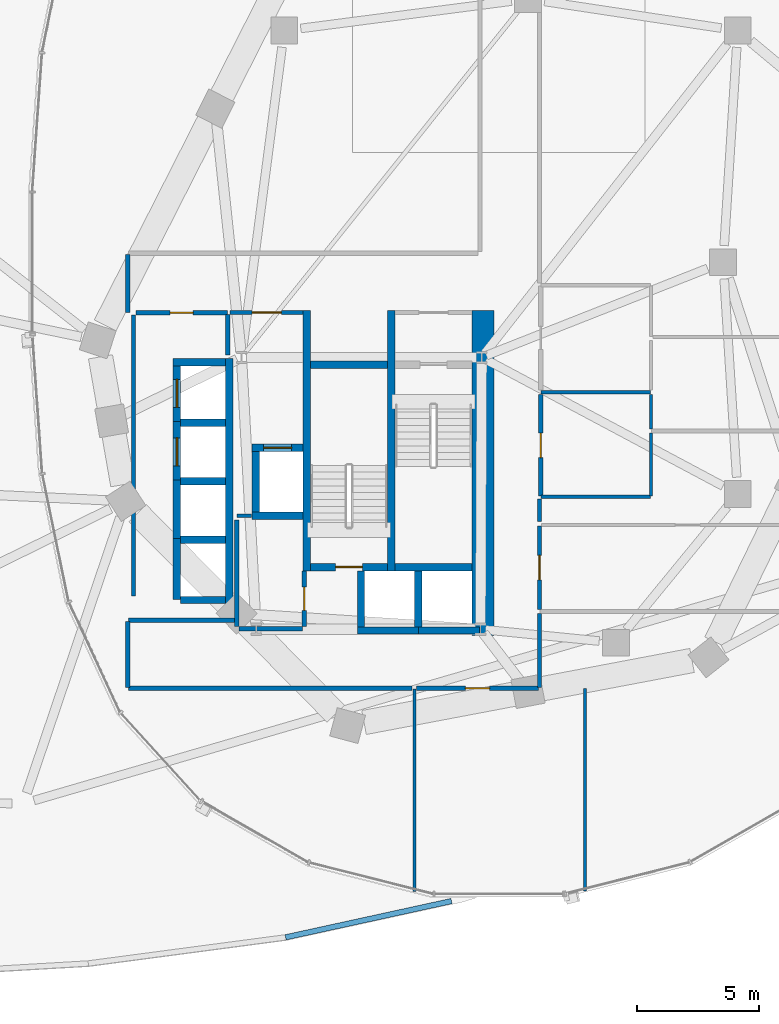
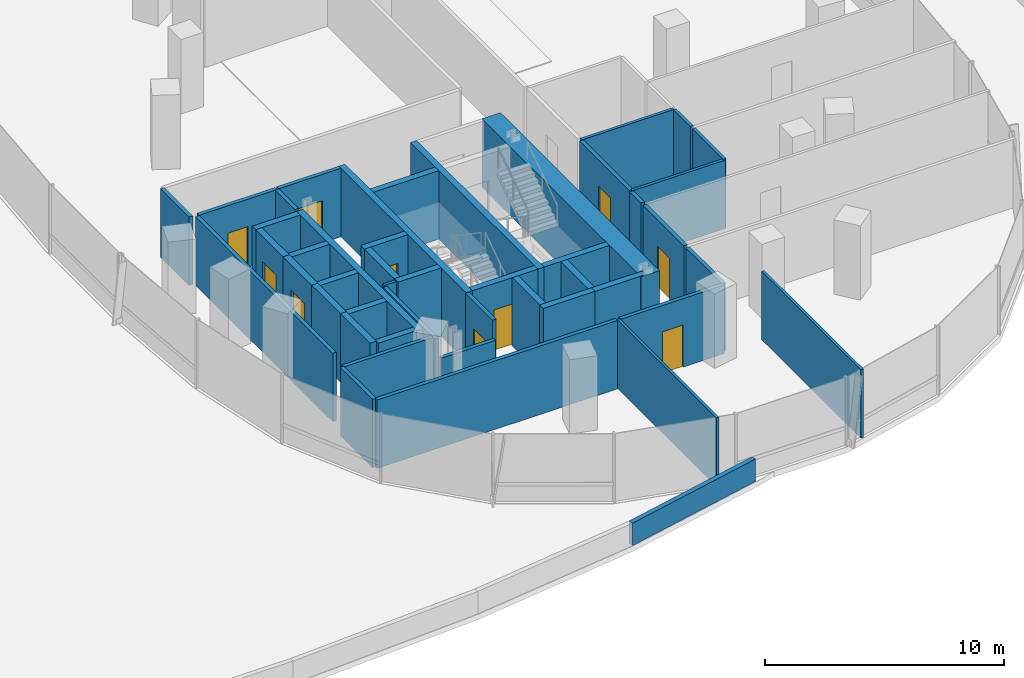
# One storey, part 20 of 28: 47 walls, 10 doors, 10 openings.
"""IFC4 building model written with IfcOpenShell, lengths in metres."""

from ifc_helpers import new_model, si_unit, direction, frame, frame_2d, origin, place, context, subcontext, project, spatial, rectangle, extrude, material, layer, layer_set, type_object, element, fill, save


model = new_model("IFC4")

# Units and contexts
model_context = context("Model", 3, precision=1e-05, world=origin(), true_north=direction((0.0, 1.0)))
body_context = subcontext(model_context, "Body", "Model", "MODEL_VIEW")
ifc_project = project(units=[si_unit("LENGTHUNIT", "METRE"), si_unit("AREAUNIT", "SQUARE_METRE"), si_unit("VOLUMEUNIT", "CUBIC_METRE"), si_unit("PLANEANGLEUNIT", "RADIAN"), si_unit("MASSUNIT", "GRAM", prefix="KILO"), si_unit("THERMODYNAMICTEMPERATUREUNIT", "KELVIN"), si_unit("POWERUNIT", "WATT")], contexts=[model_context])

# Site, building, storey
site_placement = place(None, origin())
site = spatial("IfcSite", under=ifc_project, at=site_placement, CompositionType="ELEMENT")
building_placement = place(site_placement, origin())
building = spatial("IfcBuilding", under=site, at=building_placement, Name="Cundina Bronze Exchange", CompositionType="ELEMENT")
storey_placement = place(building_placement, frame((0.0, 0.0, 24.0)))
storey = spatial("IfcBuildingStorey", under=building, at=storey_placement, Name="L05", CompositionType="ELEMENT", Elevation=24.0)

# Wall
ifc_material_1 = material(Name="Gypsum Fireboard Partition EI120")
ifc_layer_1 = layer(ifc_material_1, 0.179931640625, Name="Gypsum Fireboard Partition EI120")
ifc_layer_set_1 = layer_set([ifc_layer_1], Name="Gypsum Fireboard Partition EI120")
wall_type_1 = type_object("IfcWallType", Name="WL-COR-180", PredefinedType="PARTITIONING", material=ifc_layer_set_1)
wall_1_placement = place(storey_placement, frame((20.889892578125, -3.800048828125, 0.0), z_axis=(0.0, 0.0, 1.0), x_axis=(0.0, 1.0, 0.0)))
element("IfcWall", 1, at=wall_1_placement, inside=storey, type_object=wall_type_1, Name="L05 E Firefighting Lobby Side Wall", PredefinedType="PARTITIONING", context=body_context, shape_type="SweptSolid", body=[
    extrude(rectangle(XDim=1.650146484375, YDim=0.179931640625, at=frame_2d((0.8251953125, 0.0))), origin(), (0.0, 0.0, 1.0), 3.5),
])

# Wall, opening, door
wall_2_placement = place(storey_placement, frame((20.97998046875, -2.06005859375, 0.0), z_axis=(0.0, 0.0, 1.0), x_axis=(1.0, 0.0, 0.0)))
wall_2 = element("IfcWall", 2, at=wall_2_placement, inside=storey, type_object=wall_type_1, Name="L05 E Firefighting Lobby Exit Wall", PredefinedType="PARTITIONING", context=body_context, shape_type="SweptSolid", body=[
    extrude(rectangle(XDim=3.0, YDim=0.179931640625, at=frame_2d((1.5, 0.0))), origin(), (0.0, 0.0, 1.0), 3.5),
])
opening_1_placement = place(wall_2_placement, frame((0.89990234375, 0.0, 0.0)))
opening_1 = element("IfcOpeningElement", 3, at=opening_1_placement, cuts=wall_2, Name="Opening DF-01", PredefinedType="OPENING", context=body_context, shape_type="SweptSolid", body=[
    extrude(rectangle(XDim=1.199951171875, YDim=2.14990234375, at=frame_2d((0.60009765625, 1.074951171875))), frame((0.0, 0.099853515625, 0.0), z_axis=(0.0, -1.0, 0.0), x_axis=(1.0, 0.0, 0.0)), (0.0, 0.0, 1.0), 0.199951171875),
])
ifc_material_2 = material(Name="Steel ASTM A36 Painted", Category="steel")
door_type_1 = type_object("IfcDoorType", Name="DR-FFL-1200", OperationType="NOTDEFINED", PredefinedType="DOOR", material=ifc_material_2)
door_1_placement = place(opening_1_placement, origin())
door_1 = element("IfcDoor", 4, at=door_1_placement, inside=storey, type_object=door_type_1, Name="L05 E Firefighting Lobby Door", OperationType="SINGLE_SWING_LEFT", OverallHeight=2.14990234375, OverallWidth=1.199951171875, PredefinedType="DOOR", context=body_context, shape_type="SweptSolid", body=[
    extrude(rectangle(XDim=1.199951171875, YDim=2.14990234375, at=frame_2d((0.60009765625, 1.074951171875))), frame((0.0, 0.02490234375, 0.0), z_axis=(0.0, -1.0, 0.0), x_axis=(1.0, 0.0, 0.0)), (0.0, 0.0, 1.0), 0.050048828125),
])
fill(opening_1, door_1)

# Wall
wall_3_placement = place(storey_placement, frame((17.02001953125, -13.679931640625, 0.0), z_axis=(0.0, 0.0, 1.0), x_axis=(0.0, 1.0, 0.0)))
element("IfcWall", 5, at=wall_3_placement, inside=storey, type_object=wall_type_1, Name="L05 Interior Partition 038", PredefinedType="PARTITIONING", context=body_context, shape_type="SweptSolid", body=[
    extrude(rectangle(XDim=11.510009765625, YDim=0.179931640625, at=frame_2d((5.7548828125, 0.0))), origin(), (0.0, 0.0, 1.0), 3.5),
])

# Wall, opening, door
wall_4_placement = place(storey_placement, frame((17.1201171875, -2.070068359375, 0.0), z_axis=(0.0, 0.0, 1.0), x_axis=(1.0, 0.0, 0.0)))
wall_4 = element("IfcWall", 6, at=wall_4_placement, inside=storey, type_object=wall_type_1, Name="L05 Interior Partition 039", PredefinedType="PARTITIONING", context=body_context, shape_type="SweptSolid", body=[
    extrude(rectangle(XDim=3.75, YDim=0.179931640625, at=frame_2d((1.875, 0.0))), origin(), (0.0, 0.0, 1.0), 3.5),
])
opening_2_placement = place(wall_4_placement, frame((1.39990234375, 0.0, 0.0)))
opening_2 = element("IfcOpeningElement", 7, at=opening_2_placement, cuts=wall_4, Name="Opening DW-01", PredefinedType="OPENING", context=body_context, shape_type="SweptSolid", body=[
    extrude(rectangle(XDim=0.949951171875, YDim=2.10009765625, at=frame_2d((0.47509765625, 1.050048828125))), frame((0.0, 0.099853515625, 0.0), z_axis=(0.0, -1.0, 0.0), x_axis=(1.0, 0.0, 0.0)), (0.0, 0.0, 1.0), 0.199951171875),
])
ifc_material_3 = material(Name="Solid Andean Oak Timber Grade A", Category="wood")
door_type_2 = type_object("IfcDoorType", Name="DR-WC-950", OperationType="NOTDEFINED", PredefinedType="DOOR", material=ifc_material_3)
door_2_placement = place(opening_2_placement, origin())
door_2 = element("IfcDoor", 8, at=door_2_placement, inside=storey, type_object=door_type_2, Name="L05 Interior Door 039", OperationType="SINGLE_SWING_RIGHT", OverallHeight=2.10009765625, OverallWidth=0.949951171875, PredefinedType="DOOR", context=body_context, shape_type="SweptSolid", body=[
    extrude(rectangle(XDim=0.949951171875, YDim=2.10009765625, at=frame_2d((0.47509765625, 1.050048828125))), frame((0.0, 0.02490234375, 0.0), z_axis=(0.0, -1.0, 0.0), x_axis=(1.0, 0.0, 0.0)), (0.0, 0.0, 1.0), 0.050048828125),
])
fill(opening_2, door_2)

# Walls
wall_5_placement = place(storey_placement, frame((21.25, -14.929931640625, 0.0), z_axis=(0.0, 0.0, 1.0), x_axis=(0.0, 1.0, 0.0)))
element("IfcWall", 9, at=wall_5_placement, inside=storey, type_object=wall_type_1, Name="L05 Interior Partition 041", PredefinedType="PARTITIONING", context=body_context, shape_type="SweptSolid", body=[
    extrude(rectangle(XDim=4.35986328125, YDim=0.179931640625, at=frame_2d((2.179931640625, 0.0))), origin(), (0.0, 0.0, 1.0), 3.5),
])
wall_6_placement = place(storey_placement, frame((21.35009765625, -15.030029296875, 0.0), z_axis=(0.0, 0.0, 1.0), x_axis=(1.0, 0.0, 0.0)))
element("IfcWall", 10, at=wall_6_placement, inside=storey, type_object=wall_type_1, Name="L05 Interior Partition 042", PredefinedType="PARTITIONING", context=body_context, shape_type="SweptSolid", body=[
    extrude(rectangle(XDim=2.60986328125, YDim=0.179931640625, at=frame_2d((1.304931640625, 0.0))), origin(), (0.0, 0.0, 1.0), 2.572998046875),
])

# Wall, opening, door
wall_7_placement = place(storey_placement, frame((24.02001953125, -14.929931640625, 0.0), z_axis=(0.0, 0.0, 1.0), x_axis=(0.0, 1.0, 0.0)))
wall_7 = element("IfcWall", 11, at=wall_7_placement, inside=storey, type_object=wall_type_1, Name="L05 Interior Partition 043", PredefinedType="PARTITIONING", context=body_context, shape_type="SweptSolid", body=[
    extrude(rectangle(XDim=2.260009765625, YDim=0.179931640625, at=frame_2d((1.1298828125, 0.0))), origin(), (0.0, 0.0, 1.0), 3.5),
])
opening_3_placement = place(wall_7_placement, frame((0.655029296875, 0.0, 0.0)))
opening_3 = element("IfcOpeningElement", 12, at=opening_3_placement, cuts=wall_7, Name="Opening DW-01", PredefinedType="OPENING", context=body_context, shape_type="SweptSolid", body=[
    extrude(rectangle(XDim=0.949951171875, YDim=2.10009765625, at=frame_2d((0.47509765625, 1.050048828125))), frame((0.0, 0.099853515625, 0.0), z_axis=(0.0, -1.0, 0.0), x_axis=(1.0, 0.0, 0.0)), (0.0, 0.0, 1.0), 0.199951171875),
])
door_3_placement = place(opening_3_placement, origin())
door_3 = element("IfcDoor", 13, at=door_3_placement, inside=storey, type_object=door_type_2, Name="L05 Interior Door 043", OperationType="SINGLE_SWING_RIGHT", OverallHeight=2.10009765625, OverallWidth=0.949951171875, PredefinedType="DOOR", context=body_context, shape_type="SweptSolid", body=[
    extrude(rectangle(XDim=0.949951171875, YDim=2.10009765625, at=frame_2d((0.47509765625, 1.050048828125))), frame((0.0, 0.02490234375, 0.0), z_axis=(0.0, -1.0, 0.0), x_axis=(1.0, 0.0, 0.0)), (0.0, 0.0, 1.0), 0.050048828125),
])
fill(opening_3, door_3)

wall_8_placement = place(storey_placement, frame((33.719970703125, -9.590087890625, 0.0), z_axis=(0.0, 0.0, 1.0), x_axis=(0.0, 1.0, 0.0)))
wall_8 = element("IfcWall", 14, at=wall_8_placement, inside=storey, type_object=wall_type_1, Name="L05 Interior Partition 052", PredefinedType="PARTITIONING", context=body_context, shape_type="SweptSolid", body=[
    extrude(rectangle(XDim=4.16015625, YDim=0.179931640625, at=frame_2d((2.080078125, 0.0))), origin(), (0.0, 0.0, 1.0), 3.5),
])
opening_4_placement = place(wall_8_placement, frame((1.580078125, 0.0, 0.0)))
opening_4 = element("IfcOpeningElement", 15, at=opening_4_placement, cuts=wall_8, Name="Opening DO-01", PredefinedType="OPENING", context=body_context, shape_type="SweptSolid", body=[
    extrude(rectangle(XDim=1.0, YDim=2.14990234375, at=frame_2d((0.5, 1.074951171875))), frame((0.0, 0.099853515625, 0.0), z_axis=(0.0, -1.0, 0.0), x_axis=(1.0, 0.0, 0.0)), (0.0, 0.0, 1.0), 0.199951171875),
])
door_type_3 = type_object("IfcDoorType", Name="DR-OFF-1000", OperationType="NOTDEFINED", PredefinedType="DOOR", material=ifc_material_3)
door_4_placement = place(opening_4_placement, origin())
door_4 = element("IfcDoor", 16, at=door_4_placement, inside=storey, type_object=door_type_3, Name="L05 Interior Door 052", OperationType="SINGLE_SWING_RIGHT", OverallHeight=2.14990234375, OverallWidth=1.0, PredefinedType="DOOR", context=body_context, shape_type="SweptSolid", body=[
    extrude(rectangle(XDim=1.0, YDim=2.14990234375, at=frame_2d((0.5, 1.074951171875))), frame((0.0, 0.02490234375, 0.0), z_axis=(0.0, -1.0, 0.0), x_axis=(1.0, 0.0, 0.0)), (0.0, 0.0, 1.0), 0.050048828125),
])
fill(opening_4, door_4)

wall_9_placement = place(storey_placement, frame((28.6298828125, -17.469970703125, 0.0), z_axis=(0.0, 0.0, 1.0), x_axis=(1.0, 0.0, 0.0)))
wall_9 = element("IfcWall", 17, at=wall_9_placement, inside=storey, type_object=wall_type_1, Name="L05 Interior Partition 057", PredefinedType="PARTITIONING", context=body_context, shape_type="SweptSolid", body=[
    extrude(rectangle(XDim=4.99853515625, YDim=0.179931640625, at=frame_2d((2.499267578125, 0.0))), origin(), (0.0, 0.0, 1.0), 3.5),
])
opening_5_placement = place(wall_9_placement, frame((1.999267578125, 0.0, 0.0)))
opening_5 = element("IfcOpeningElement", 18, at=opening_5_placement, cuts=wall_9, Name="Opening DO-01", PredefinedType="OPENING", context=body_context, shape_type="SweptSolid", body=[
    extrude(rectangle(XDim=1.0, YDim=2.14990234375, at=frame_2d((0.5, 1.074951171875))), frame((0.0, 0.099853515625, 0.0), z_axis=(0.0, -1.0, 0.0), x_axis=(1.0, 0.0, 0.0)), (0.0, 0.0, 1.0), 0.199951171875),
])
door_5_placement = place(opening_5_placement, origin())
door_5 = element("IfcDoor", 19, at=door_5_placement, inside=storey, type_object=door_type_3, Name="L05 Interior Door 057", OperationType="SINGLE_SWING_RIGHT", OverallHeight=2.14990234375, OverallWidth=1.0, PredefinedType="DOOR", context=body_context, shape_type="SweptSolid", body=[
    extrude(rectangle(XDim=1.0, YDim=2.14990234375, at=frame_2d((0.5, 1.074951171875))), frame((0.0, 0.02490234375, 0.0), z_axis=(0.0, -1.0, 0.0), x_axis=(1.0, 0.0, 0.0)), (0.0, 0.0, 1.0), 0.050048828125),
])
fill(opening_5, door_5)

# Wall
wall_10_placement = place(storey_placement, frame((33.669921875, -17.428466796875, 0.0), z_axis=(0.0, 0.0, 1.0), x_axis=(0.0, 1.0, 0.0)))
element("IfcWall", 20, at=wall_10_placement, inside=storey, type_object=wall_type_1, Name="L05 Interior Partition 058", PredefinedType="PARTITIONING", context=body_context, shape_type="SweptSolid", body=[
    extrude(rectangle(XDim=3.0185546875, YDim=0.179931640625, at=frame_2d((1.50927734375, 0.0))), origin(), (0.0, 0.0, 1.0), 3.5),
])

# Wall, opening, door
wall_11_placement = place(storey_placement, frame((33.669921875, -14.22998046875, 0.0), z_axis=(0.0, 0.0, 1.0), x_axis=(0.0, 1.0, 0.0)))
wall_11 = element("IfcWall", 21, at=wall_11_placement, inside=storey, type_object=wall_type_1, Name="L05 Interior Partition 059", PredefinedType="PARTITIONING", context=body_context, shape_type="SweptSolid", body=[
    extrude(rectangle(XDim=3.419921875, YDim=0.179931640625, at=frame_2d((1.7099609375, 0.0))), origin(), (0.0, 0.0, 1.0), 3.5),
])
opening_6_placement = place(wall_11_placement, frame((1.2099609375, 0.0, 0.0)))
opening_6 = element("IfcOpeningElement", 22, at=opening_6_placement, cuts=wall_11, Name="Opening DO-01", PredefinedType="OPENING", context=body_context, shape_type="SweptSolid", body=[
    extrude(rectangle(XDim=1.0, YDim=2.14990234375, at=frame_2d((0.5, 1.074951171875))), frame((0.0, 0.099853515625, 0.0), z_axis=(0.0, -1.0, 0.0), x_axis=(1.0, 0.0, 0.0)), (0.0, 0.0, 1.0), 0.199951171875),
])
door_6_placement = place(opening_6_placement, origin())
door_6 = element("IfcDoor", 23, at=door_6_placement, inside=storey, type_object=door_type_3, Name="L05 Interior Door 059", OperationType="SINGLE_SWING_RIGHT", OverallHeight=2.14990234375, OverallWidth=1.0, PredefinedType="DOOR", context=body_context, shape_type="SweptSolid", body=[
    extrude(rectangle(XDim=1.0, YDim=2.14990234375, at=frame_2d((0.5, 1.074951171875))), frame((0.0, 0.02490234375, 0.0), z_axis=(0.0, -1.0, 0.0), x_axis=(1.0, 0.0, 0.0)), (0.0, 0.0, 1.0), 0.050048828125),
])
fill(opening_6, door_6)

# Walls
wall_12_placement = place(storey_placement, frame((33.669921875, -10.6298828125, 0.0), z_axis=(0.0, 0.0, 1.0), x_axis=(0.0, 1.0, 0.0)))
element("IfcWall", 24, at=wall_12_placement, inside=storey, type_object=wall_type_1, Name="L05 Interior Partition 060", PredefinedType="PARTITIONING", context=body_context, shape_type="SweptSolid", body=[
    extrude(rectangle(XDim=0.928466796875, YDim=0.179931640625, at=frame_2d((0.46435546875, 0.0))), origin(), (0.0, 0.0, 1.0), 3.5),
])
wall_13_placement = place(storey_placement, frame((16.821533203125, -17.469970703125, 0.0), z_axis=(0.0, 0.0, 1.0), x_axis=(1.0, 0.0, 0.0)))
element("IfcWall", 25, at=wall_13_placement, inside=storey, type_object=wall_type_1, Name="L05 Interior Partition 064", PredefinedType="PARTITIONING", context=body_context, shape_type="SweptSolid", body=[
    extrude(rectangle(XDim=11.62841796875, YDim=0.179931640625, at=frame_2d((5.814208984375, 0.0))), origin(), (0.0, 0.0, 1.0), 3.5),
])
wall_14_placement = place(storey_placement, frame((21.178466796875, -14.679931640625, 0.0), z_axis=(0.0, 0.0, 1.0), x_axis=(-1.0, 0.0, 0.0)))
element("IfcWall", 26, at=wall_14_placement, inside=storey, type_object=wall_type_1, Name="L05 Interior Partition 068", PredefinedType="PARTITIONING", context=body_context, shape_type="SweptSolid", body=[
    extrude(rectangle(XDim=4.35693359375, YDim=0.179931640625, at=frame_2d((2.178466796875, 0.0))), origin(), (0.0, 0.0, 1.0), 3.5),
])
wall_15_placement = place(storey_placement, frame((16.780029296875, -14.721435546875, 0.0), z_axis=(0.0, 0.0, 1.0), x_axis=(0.0, -1.0, 0.0)))
element("IfcWall", 27, at=wall_15_placement, inside=storey, type_object=wall_type_1, Name="L05 Interior Partition 069", PredefinedType="PARTITIONING", context=body_context, shape_type="SweptSolid", body=[
    extrude(rectangle(XDim=2.70703125, YDim=0.179931640625, at=frame_2d((1.353515625, 0.0))), origin(), (0.0, 0.0, 1.0), 3.5),
])
wall_16_placement = place(storey_placement, frame((16.780029296875, 0.32861328125, 0.0), z_axis=(0.0, 0.0, 1.0), x_axis=(0.0, -1.0, 0.0)))
element("IfcWall", 28, at=wall_16_placement, inside=storey, type_object=wall_type_1, Name="L05 Interior Partition 070", PredefinedType="PARTITIONING", context=body_context, shape_type="SweptSolid", body=[
    extrude(rectangle(XDim=2.38720703125, YDim=0.179931640625, at=frame_2d((1.193603515625, 0.0))), origin(), (0.0, 0.0, 1.0), 3.5),
])
ifc_material_4 = material(Name="Concrete C60/75", Category="concrete")
ifc_layer_2 = layer(ifc_material_4, 0.89990234375, Name="Concrete C60/75", Category="concrete")
ifc_layer_set_2 = layer_set([ifc_layer_2], Name="Concrete C60/75")
wall_type_2 = type_object("IfcWallType", Name="WL-CORE-900", PredefinedType="SHEAR", material=ifc_layer_set_2)
wall_17_placement = place(storey_placement, frame((31.35009765625, -15.300048828125, 0.0), z_axis=(0.0, 0.0, 1.0), x_axis=(0.0, 1.0, 0.0)))
element("IfcWall", 29, at=wall_17_placement, inside=storey, type_object=wall_type_2, Name="L05 E Primary Core Shear Spine Wall", PredefinedType="SHEAR", context=body_context, shape_type="SweptSolid", body=[
    extrude(rectangle(XDim=13.330078125, YDim=0.89990234375, at=frame_2d((6.6650390625, 0.0))), origin(), (0.0, 0.0, 1.0), 3.5),
])
ifc_material_5 = material(Name="Gypsum Acoustic Partition EI60")
ifc_layer_3 = layer(ifc_material_5, 0.125, Name="Gypsum Acoustic Partition EI60")
ifc_layer_set_3 = layer_set([ifc_layer_3], Name="Gypsum Acoustic Partition EI60")
wall_type_3 = type_object("IfcWallType", Name="WL-OFF-125", PredefinedType="PARTITIONING", material=ifc_layer_set_3)
wall_18_placement = place(storey_placement, frame((28.5400390625, -25.793701171875, 0.0), z_axis=(0.0, 0.0, 1.0), x_axis=(0.0, 1.0, 0.0)))
element("IfcWall", 30, at=wall_18_placement, inside=storey, type_object=wall_type_3, Name="L05 Interior Partition 055", PredefinedType="PARTITIONING", context=body_context, shape_type="SweptSolid", body=[
    extrude(rectangle(XDim=8.293701171875, YDim=0.125, at=frame_2d((4.14697265625, 0.0))), origin(), (0.0, 0.0, 1.0), 3.5),
])
wall_19_placement = place(storey_placement, frame((35.5400390625, -25.7734375, 0.0), z_axis=(0.0, 0.0, 1.0), x_axis=(0.0, 1.0, 0.0)))
element("IfcWall", 31, at=wall_19_placement, inside=storey, type_object=wall_type_3, Name="L05 Interior Partition 056", PredefinedType="PARTITIONING", context=body_context, shape_type="SweptSolid", body=[
    extrude(rectangle(XDim=8.303466796875, YDim=0.125, at=frame_2d((4.15185546875, 0.0))), origin(), (0.0, 0.0, 1.0), 3.5),
])
ifc_material_6 = material(Name="Precast Concrete C45/55", Category="concrete")
ifc_layer_4 = layer(ifc_material_6, 0.219970703125, Name="Precast Concrete C45/55", Category="concrete")
ifc_layer_set_4 = layer_set([ifc_layer_4], Name="Precast Concrete C45/55")
wall_type_4 = type_object("IfcWallType", Name="WL-PAR-220", PredefinedType="PARAPET", material=ifc_layer_set_4)
wall_20_placement = place(storey_placement, frame((30.059814453125, -26.195068359375, 0.0), z_axis=(0.0, 0.0, 1.0), x_axis=(-0.976903447966, -0.213681195598, 0.0)))
element("IfcWall", 32, at=wall_20_placement, inside=storey, type_object=wall_type_4, Name="L05 Central Podium Roof Parapet 1-21", PredefinedType="PARAPET", context=body_context, shape_type="SweptSolid", body=[
    extrude(rectangle(XDim=6.9638671875, YDim=0.219970703125, at=frame_2d((3.48193359375, 0.0))), origin(), (0.0, 0.0, 1.0), 1.14990234375),
])
ifc_material_7 = material(Name="Concrete C50/60", Category="concrete")
ifc_layer_5 = layer(ifc_material_7, 0.300048828125, Name="Concrete C50/60", Category="concrete")
ifc_layer_set_5 = layer_set([ifc_layer_5], Name="Concrete C50/60")
wall_type_5 = type_object("IfcWallType", Name="WL-SHFT-300", PredefinedType="SHEAR", material=ifc_layer_set_5)
for number, where, z_axis, x_axis, name in (
    (33, (27.590087890625, -12.64990234375, 0.0), (0.0, 0.0, 1.0), (0.0, 1.0, 0.0), "L05 E Stair Shaft Dividing Shear Wall"),
    (34, (24.1298828125, -12.64990234375, 0.0), (0.0, 0.0, 1.0), (0.0, 1.0, 0.0), "L05 E Stair 2 East Shear Wall"),
):
    element("IfcWall", number, at=place(storey_placement, frame(where, z_axis=z_axis, x_axis=x_axis)), inside=storey, type_object=wall_type_5, Name=name, PredefinedType="SHEAR", context=body_context, shape_type="SweptSolid", body=[
        extrude(rectangle(XDim=10.679931640625, YDim=0.300048828125, at=frame_2d((5.33984375, 0.0))), origin(), (0.0, 0.0, 1.0), 3.5),
    ])
wall_21_placement = place(storey_placement, frame((27.739990234375, -12.5, 0.0), z_axis=(0.0, 0.0, 1.0), x_axis=(1.0, 0.0, 0.0)))
element("IfcWall", 35, at=wall_21_placement, inside=storey, type_object=wall_type_5, Name="L05 Stair E1 Far Shaft Wall", PredefinedType="SHEAR", context=body_context, shape_type="SweptSolid", body=[
    extrude(rectangle(XDim=3.159912109375, YDim=0.300048828125, at=frame_2d((1.580078125, 0.0))), origin(), (0.0, 0.0, 1.0), 3.5),
])

# Wall, opening, door
wall_22_placement = place(storey_placement, frame((24.280029296875, -12.5, 0.0), z_axis=(0.0, 0.0, 1.0), x_axis=(1.0, 0.0, 0.0)))
wall_22 = element("IfcWall", 36, at=wall_22_placement, inside=storey, type_object=wall_type_5, Name="L05 Stair E2 Landing Wall", PredefinedType="SHEAR", context=body_context, shape_type="SweptSolid", body=[
    extrude(rectangle(XDim=3.159912109375, YDim=0.300048828125, at=frame_2d((1.580078125, 0.0))), origin(), (0.0, 0.0, 1.0), 3.5),
])
opening_7_placement = place(wall_22_placement, frame((1.030029296875, 0.0, 0.0)))
opening_7 = element("IfcOpeningElement", 37, at=opening_7_placement, cuts=wall_22, Name="Opening DS-01", PredefinedType="OPENING", context=body_context, shape_type="SweptSolid", body=[
    extrude(rectangle(XDim=1.10009765625, YDim=2.14990234375, at=frame_2d((0.550048828125, 1.074951171875))), frame((0.0, 0.159912109375, 0.0), z_axis=(0.0, -1.0, 0.0), x_axis=(1.0, 0.0, 0.0)), (0.0, 0.0, 1.0), 0.320068359375),
])
door_type_4 = type_object("IfcDoorType", Name="DR-STR-1100", OperationType="NOTDEFINED", PredefinedType="DOOR", material=ifc_material_2)
door_7_placement = place(opening_7_placement, origin())
door_7 = element("IfcDoor", 38, at=door_7_placement, inside=storey, type_object=door_type_4, Name="L05 Smokeproof Stair E2 Door", OperationType="SINGLE_SWING_RIGHT", OverallHeight=2.14990234375, OverallWidth=1.10009765625, PredefinedType="DOOR", context=body_context, shape_type="SweptSolid", body=[
    extrude(rectangle(XDim=1.10009765625, YDim=2.14990234375, at=frame_2d((0.550048828125, 1.074951171875))), frame((0.0, 0.02490234375, 0.0), z_axis=(0.0, -1.0, 0.0), x_axis=(1.0, 0.0, 0.0)), (0.0, 0.0, 1.0), 0.050048828125),
])
fill(opening_7, door_7)

# Wall
wall_23_placement = place(storey_placement, frame((24.280029296875, -4.199951171875, 0.0), z_axis=(0.0, 0.0, 1.0), x_axis=(1.0, 0.0, 0.0)))
element("IfcWall", 39, at=wall_23_placement, inside=storey, type_object=wall_type_5, Name="L05 Stair E2 Far Shaft Wall", PredefinedType="SHEAR", context=body_context, shape_type="SweptSolid", body=[
    extrude(rectangle(XDim=3.159912109375, YDim=0.300048828125, at=frame_2d((1.580078125, 0.0))), origin(), (0.0, 0.0, 1.0), 3.5),
])

# Wall, opening, door
wall_24_placement = place(storey_placement, frame((21.8798828125, -7.60009765625, 0.0), z_axis=(0.0, 0.0, 1.0), x_axis=(1.0, 0.0, 0.0)))
wall_24 = element("IfcWall", 40, at=wall_24_placement, inside=storey, type_object=wall_type_5, Name="L05 FFL-E Hoistway Front Wall", PredefinedType="SHEAR", context=body_context, shape_type="SweptSolid", body=[
    extrude(rectangle(XDim=2.10009765625, YDim=0.300048828125, at=frame_2d((1.050048828125, 0.0))), origin(), (0.0, 0.0, 1.0), 3.5),
])
opening_8_placement = place(wall_24_placement, frame((0.47509765625, 0.0, 0.0)))
opening_8 = element("IfcOpeningElement", 41, at=opening_8_placement, cuts=wall_24, Name="Opening LD-01", PredefinedType="OPENING", context=body_context, shape_type="SweptSolid", body=[
    extrude(rectangle(XDim=1.14990234375, YDim=2.199951171875, at=frame_2d((0.574951171875, 1.10009765625))), frame((0.0, 0.159912109375, 0.0), z_axis=(0.0, -1.0, 0.0), x_axis=(1.0, 0.0, 0.0)), (0.0, 0.0, 1.0), 0.320068359375),
])
door_type_5 = type_object("IfcDoorType", Name="DR-LND-1150", OperationType="NOTDEFINED", PredefinedType="TRAPDOOR", material=ifc_material_2)
door_8_placement = place(opening_8_placement, origin())
door_8 = element("IfcDoor", 42, at=door_8_placement, inside=storey, type_object=door_type_5, Name="L05 FFL-E Sliding Landing Door", OperationType="SLIDING_TO_LEFT", OverallHeight=2.199951171875, OverallWidth=1.14990234375, PredefinedType="TRAPDOOR", context=body_context, shape_type="SweptSolid", body=[
    extrude(rectangle(XDim=1.14990234375, YDim=2.199951171875, at=frame_2d((0.574951171875, 1.10009765625))), frame((0.0, 0.02490234375, 0.0), z_axis=(0.0, -1.0, 0.0), x_axis=(1.0, 0.0, 0.0)), (0.0, 0.0, 1.0), 0.050048828125),
])
fill(opening_8, door_8)

# Walls
wall_25_placement = place(storey_placement, frame((21.8798828125, -10.39990234375, 0.0), z_axis=(0.0, 0.0, 1.0), x_axis=(1.0, 0.0, 0.0)))
element("IfcWall", 43, at=wall_25_placement, inside=storey, type_object=wall_type_5, Name="L05 FFL-E Hoistway Back Wall", PredefinedType="SHEAR", context=body_context, shape_type="SweptSolid", body=[
    extrude(rectangle(XDim=2.10009765625, YDim=0.300048828125, at=frame_2d((1.050048828125, 0.0))), origin(), (0.0, 0.0, 1.0), 3.5),
])
for number, where, z_axis, x_axis, name in (
    (44, (22.030029296875, -10.25, 0.0), (0.0, 0.0, 1.0), (0.0, 1.0, 0.0), "L05 FFL-E Hoistway Side Wall"),
    (45, (28.699951171875, -15.10009765625, 0.0), (0.0, 0.0, 1.0), (1.0, 0.0, 0.0), "L05 PH-E1 Hoistway Front Wall"),
):
    element("IfcWall", number, at=place(storey_placement, frame(where, z_axis=z_axis, x_axis=x_axis)), inside=storey, type_object=wall_type_5, Name=name, PredefinedType="SHEAR", context=body_context, shape_type="SweptSolid", body=[
        extrude(rectangle(XDim=2.5, YDim=0.300048828125, at=frame_2d((1.25, 0.0))), origin(), (0.0, 0.0, 1.0), 3.5),
    ])
wall_26_placement = place(storey_placement, frame((28.699951171875, -14.949951171875, 0.0), z_axis=(0.0, 0.0, 1.0), x_axis=(0.0, 1.0, 0.0)))
element("IfcWall", 46, at=wall_26_placement, inside=storey, type_object=wall_type_5, Name="L05 PH-E1 Hoistway Divider Wall", PredefinedType="SHEAR", context=body_context, shape_type="SweptSolid", body=[
    extrude(rectangle(XDim=2.300048828125, YDim=0.300048828125, at=frame_2d((1.14990234375, 0.0))), origin(), (0.0, 0.0, 1.0), 3.5),
])
wall_27_placement = place(storey_placement, frame((26.199951171875, -15.10009765625, 0.0), z_axis=(0.0, 0.0, 1.0), x_axis=(1.0, 0.0, 0.0)))
element("IfcWall", 47, at=wall_27_placement, inside=storey, type_object=wall_type_5, Name="L05 PH-E2 Hoistway Front Wall", PredefinedType="SHEAR", context=body_context, shape_type="SweptSolid", body=[
    extrude(rectangle(XDim=2.5, YDim=0.300048828125, at=frame_2d((1.25, 0.0))), origin(), (0.0, 0.0, 1.0), 3.5),
])
wall_28_placement = place(storey_placement, frame((26.35009765625, -14.949951171875, 0.0), z_axis=(0.0, 0.0, 1.0), x_axis=(0.0, 1.0, 0.0)))
element("IfcWall", 48, at=wall_28_placement, inside=storey, type_object=wall_type_5, Name="L05 PH-E2 Hoistway Divider Wall", PredefinedType="SHEAR", context=body_context, shape_type="SweptSolid", body=[
    extrude(rectangle(XDim=2.300048828125, YDim=0.300048828125, at=frame_2d((1.14990234375, 0.0))), origin(), (0.0, 0.0, 1.0), 3.5),
])
wall_29_placement = place(storey_placement, frame((20.949951171875, -14.0, 0.0), z_axis=(0.0, 0.0, 1.0), x_axis=(0.0, 1.0, 0.0)))
element("IfcWall", 49, at=wall_29_placement, inside=storey, type_object=wall_type_5, Name="L05 E Passenger Bank Hoistway Back Wall", PredefinedType="SHEAR", context=body_context, shape_type="SweptSolid", body=[
    extrude(rectangle(XDim=10.050048828125, YDim=0.300048828125, at=frame_2d((5.02490234375, 0.0))), origin(), (0.0, 0.0, 1.0), 3.5),
])
wall_30_placement = place(storey_placement, frame((18.949951171875, -13.85009765625, 0.0), z_axis=(0.0, 0.0, 1.0), x_axis=(1.0, 0.0, 0.0)))
element("IfcWall", 50, at=wall_30_placement, inside=storey, type_object=wall_type_5, Name="L05 E Passenger Bank South Cap Wall", PredefinedType="SHEAR", context=body_context, shape_type="SweptSolid", body=[
    extrude(rectangle(XDim=1.85009765625, YDim=0.300048828125, at=frame_2d((0.925048828125, 0.0))), origin(), (0.0, 0.0, 1.0), 3.5),
])
wall_31_placement = place(storey_placement, frame((18.64990234375, -4.10009765625, 0.0), z_axis=(0.0, 0.0, 1.0), x_axis=(1.0, 0.0, 0.0)))
element("IfcWall", 51, at=wall_31_placement, inside=storey, type_object=wall_type_5, Name="L05 E Passenger Bank North Cap Wall", PredefinedType="SHEAR", context=body_context, shape_type="SweptSolid", body=[
    extrude(rectangle(XDim=2.150146484375, YDim=0.300048828125, at=frame_2d((1.0751953125, 0.0))), origin(), (0.0, 0.0, 1.0), 3.5),
])
for number, where, z_axis, x_axis, name in (
    (52, (18.949951171875, -11.375, 0.0), (0.0, 0.0, 1.0), (1.0, 0.0, 0.0), "L05 E Passenger Hoistway Divider 1"),
    (53, (18.949951171875, -8.97509765625, 0.0), (0.0, 0.0, 1.0), (1.0, 0.0, 0.0), "L05 E Passenger Hoistway Divider 2"),
    (54, (18.949951171875, -6.574951171875, 0.0), (0.0, 0.0, 1.0), (1.0, 0.0, 0.0), "L05 E Passenger Hoistway Divider 3"),
):
    element("IfcWall", number, at=place(storey_placement, frame(where, z_axis=z_axis, x_axis=x_axis)), inside=storey, type_object=wall_type_5, Name=name, PredefinedType="SHEAR", context=body_context, shape_type="SweptSolid", body=[
        extrude(rectangle(XDim=1.85009765625, YDim=0.300048828125, at=frame_2d((0.925048828125, 0.0))), origin(), (0.0, 0.0, 1.0), 3.5),
    ])
for number, where, z_axis, x_axis, name in (
    (55, (18.800048828125, -13.820068359375, 0.0), (0.0, 0.0, 1.0), (0.0, 1.0, 0.0), "L05 PM-E1 Hoistway Front Wall"),
    (56, (18.800048828125, -11.419921875, 0.0), (0.0, 0.0, 1.0), (0.0, 1.0, 0.0), "L05 PM-E2 Hoistway Front Wall"),
):
    element("IfcWall", number, at=place(storey_placement, frame(where, z_axis=z_axis, x_axis=x_axis)), inside=storey, type_object=wall_type_5, Name=name, PredefinedType="SHEAR", context=body_context, shape_type="SweptSolid", body=[
        extrude(rectangle(XDim=2.489990234375, YDim=0.300048828125, at=frame_2d((1.2451171875, 0.0))), origin(), (0.0, 0.0, 1.0), 3.5),
    ])

# Wall, opening, door
wall_32_placement = place(storey_placement, frame((18.800048828125, -9.02001953125, 0.0), z_axis=(0.0, 0.0, 1.0), x_axis=(0.0, 1.0, 0.0)))
wall_32 = element("IfcWall", 57, at=wall_32_placement, inside=storey, type_object=wall_type_5, Name="L05 PL-E1 Hoistway Front Wall", PredefinedType="SHEAR", context=body_context, shape_type="SweptSolid", body=[
    extrude(rectangle(XDim=2.489990234375, YDim=0.300048828125, at=frame_2d((1.2451171875, 0.0))), origin(), (0.0, 0.0, 1.0), 3.5),
])
opening_9_placement = place(wall_32_placement, frame((0.669921875, 0.0, 0.0)))
opening_9 = element("IfcOpeningElement", 58, at=opening_9_placement, cuts=wall_32, Name="Opening LD-01", PredefinedType="OPENING", context=body_context, shape_type="SweptSolid", body=[
    extrude(rectangle(XDim=1.14990234375, YDim=2.199951171875, at=frame_2d((0.574951171875, 1.10009765625))), frame((0.0, 0.159912109375, 0.0), z_axis=(0.0, -1.0, 0.0), x_axis=(1.0, 0.0, 0.0)), (0.0, 0.0, 1.0), 0.320068359375),
])
door_9_placement = place(opening_9_placement, origin())
door_9 = element("IfcDoor", 59, at=door_9_placement, inside=storey, type_object=door_type_5, Name="L05 PL-E1 Sliding Landing Door", OperationType="SLIDING_TO_LEFT", OverallHeight=2.199951171875, OverallWidth=1.14990234375, PredefinedType="TRAPDOOR", context=body_context, shape_type="SweptSolid", body=[
    extrude(rectangle(XDim=1.14990234375, YDim=2.199951171875, at=frame_2d((0.574951171875, 1.10009765625))), frame((0.0, 0.02490234375, 0.0), z_axis=(0.0, -1.0, 0.0), x_axis=(1.0, 0.0, 0.0)), (0.0, 0.0, 1.0), 0.050048828125),
])
fill(opening_9, door_9)

wall_33_placement = place(storey_placement, frame((18.800048828125, -6.6201171875, 0.0), z_axis=(0.0, 0.0, 1.0), x_axis=(0.0, 1.0, 0.0)))
wall_33 = element("IfcWall", 60, at=wall_33_placement, inside=storey, type_object=wall_type_5, Name="L05 PL-E2 Hoistway Front Wall", PredefinedType="SHEAR", context=body_context, shape_type="SweptSolid", body=[
    extrude(rectangle(XDim=2.490234375, YDim=0.300048828125, at=frame_2d((1.2451171875, 0.0))), origin(), (0.0, 0.0, 1.0), 3.5),
])
opening_10_placement = place(wall_33_placement, frame((0.669921875, 0.0, 0.0)))
opening_10 = element("IfcOpeningElement", 61, at=opening_10_placement, cuts=wall_33, Name="Opening LD-01", PredefinedType="OPENING", context=body_context, shape_type="SweptSolid", body=[
    extrude(rectangle(XDim=1.14990234375, YDim=2.199951171875, at=frame_2d((0.574951171875, 1.10009765625))), frame((0.0, 0.159912109375, 0.0), z_axis=(0.0, -1.0, 0.0), x_axis=(1.0, 0.0, 0.0)), (0.0, 0.0, 1.0), 0.320068359375),
])
door_10_placement = place(opening_10_placement, origin())
door_10 = element("IfcDoor", 62, at=door_10_placement, inside=storey, type_object=door_type_5, Name="L05 PL-E2 Sliding Landing Door", OperationType="SLIDING_TO_LEFT", OverallHeight=2.199951171875, OverallWidth=1.14990234375, PredefinedType="TRAPDOOR", context=body_context, shape_type="SweptSolid", body=[
    extrude(rectangle(XDim=1.14990234375, YDim=2.199951171875, at=frame_2d((0.574951171875, 1.10009765625))), frame((0.0, 0.02490234375, 0.0), z_axis=(0.0, -1.0, 0.0), x_axis=(1.0, 0.0, 0.0)), (0.0, 0.0, 1.0), 0.050048828125),
])
fill(opening_10, door_10)

# Walls
ifc_material_8 = material(Name="Moisture-Resistant Masonry Block Grade M15", Category="masonry")
ifc_layer_6 = layer(ifc_material_8, 0.139892578125, Name="Moisture-Resistant Masonry Block Grade M15", Category="masonry")
ifc_layer_set_6 = layer_set([ifc_layer_6], Name="Moisture-Resistant Masonry Block Grade M15")
wall_type_6 = type_object("IfcWallType", Name="WL-WET-140", PredefinedType="PARTITIONING", material=ifc_layer_set_6)
wall_34_placement = place(storey_placement, frame((21.27001953125, -10.39990234375, 0.0), z_axis=(0.0, 0.0, 1.0), x_axis=(1.0, 0.0, 0.0)))
element("IfcWall", 63, at=wall_34_placement, inside=storey, type_object=wall_type_6, Name="L05 Interior Partition 040", PredefinedType="PARTITIONING", context=body_context, shape_type="SweptSolid", body=[
    extrude(rectangle(XDim=0.590087890625, YDim=0.139892578125, at=frame_2d((0.294921875, 0.0))), origin(), (0.0, 0.0, 1.0), 3.5),
])
wall_35_placement = place(storey_placement, frame((38.239990234375, -9.590087890625, 0.0), z_axis=(0.0, 0.0, 1.0), x_axis=(0.0, 1.0, 0.0)))
element("IfcWall", 64, at=wall_35_placement, inside=storey, type_object=wall_type_6, Name="L05 Interior Partition 044", PredefinedType="PARTITIONING", context=body_context, shape_type="SweptSolid", body=[
    extrude(rectangle(XDim=2.585205078125, YDim=0.139892578125, at=frame_2d((1.29248046875, 0.0))), origin(), (0.0, 0.0, 1.0), 3.5),
])
wall_36_placement = place(storey_placement, frame((38.239990234375, -6.8349609375, 0.0), z_axis=(0.0, 0.0, 1.0), x_axis=(0.0, 1.0, 0.0)))
element("IfcWall", 65, at=wall_36_placement, inside=storey, type_object=wall_type_6, Name="L05 Interior Partition 045", PredefinedType="PARTITIONING", context=body_context, shape_type="SweptSolid", body=[
    extrude(rectangle(XDim=1.419921875, YDim=0.139892578125, at=frame_2d((0.7099609375, 0.0))), origin(), (0.0, 0.0, 1.0), 3.5),
])
for number, where, z_axis, x_axis, name in (
    (66, (33.739990234375, -5.330078125, 0.0), (0.0, 0.0, 1.0), (1.0, 0.0, 0.0), "L05 Interior Partition 049"),
    (67, (33.739990234375, -9.610107421875, 0.0), (0.0, 0.0, 1.0), (1.0, 0.0, 0.0), "L05 Interior Partition 050"),
):
    element("IfcWall", number, at=place(storey_placement, frame(where, z_axis=z_axis, x_axis=x_axis)), inside=storey, type_object=wall_type_6, Name=name, PredefinedType="PARTITIONING", context=body_context, shape_type="SweptSolid", body=[
        extrude(rectangle(XDim=4.47998046875, YDim=0.139892578125, at=frame_2d((2.239990234375, 0.0))), origin(), (0.0, 0.0, 1.0), 3.5),
    ])

save(model, "model.ifc")
